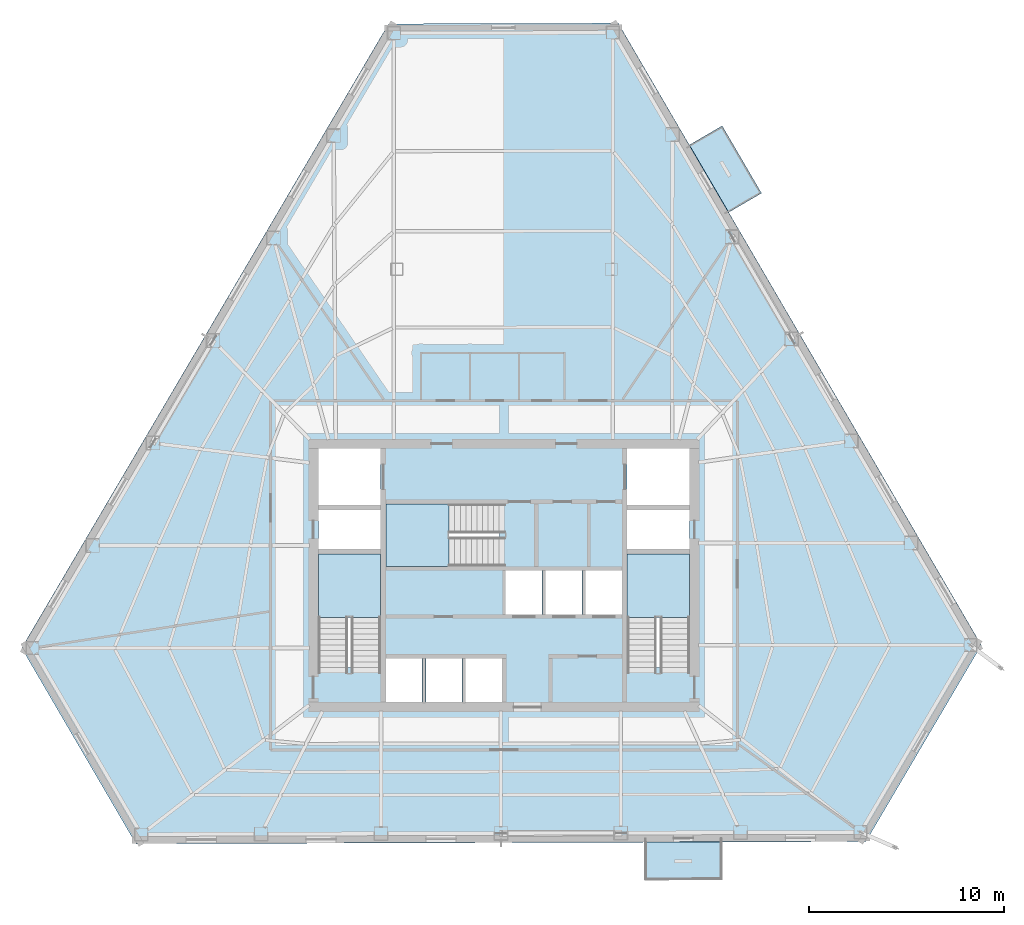
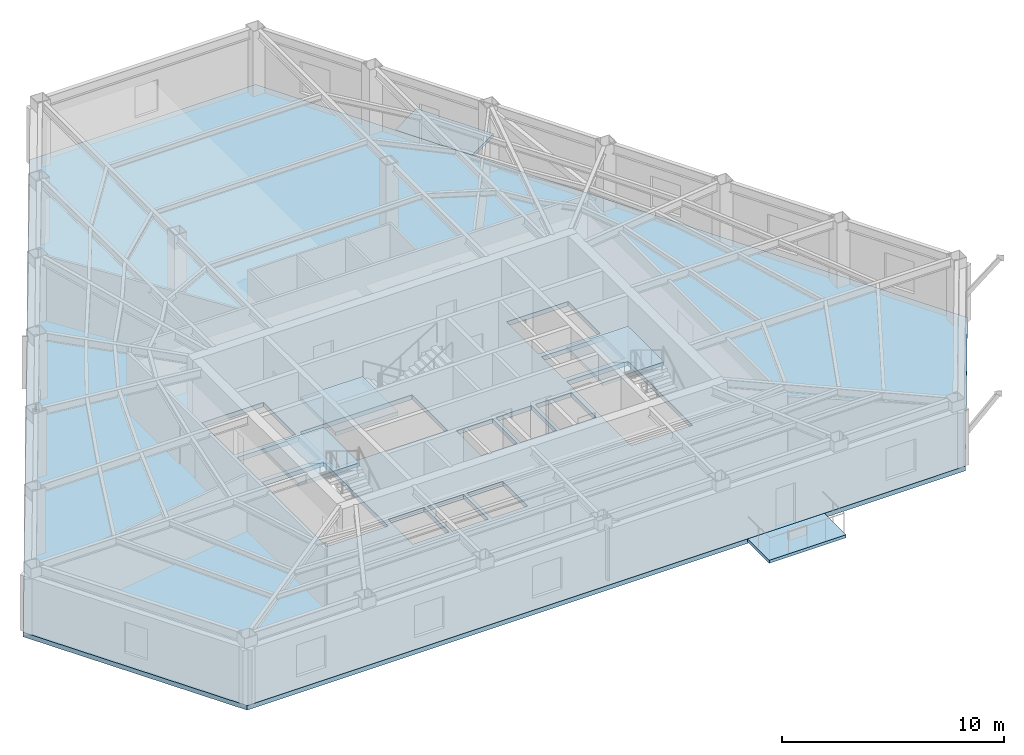
# One storey, part 3 of 10: 6 slabs, 3 elements without a shape of their own.
"""IFC4 building model written with IfcOpenShell, lengths in metres."""

from ifc_helpers import new_model, si_unit, direction, frame, origin, place, context, subcontext, project, spatial, polyline, outline, extrude, material, layer, layer_set, type_object, element, aggregate, save


model = new_model("IFC4")

# Units and contexts
model_context = context("Model", 3, precision=1e-05, world=origin(), true_north=direction((0.0, 1.0)))
body_context = subcontext(model_context, "Body", "Model", "MODEL_VIEW")
ifc_project = project(units=[si_unit("LENGTHUNIT", "METRE"), si_unit("AREAUNIT", "SQUARE_METRE"), si_unit("VOLUMEUNIT", "CUBIC_METRE"), si_unit("PLANEANGLEUNIT", "RADIAN"), si_unit("MASSUNIT", "GRAM", prefix="KILO")], contexts=[model_context])

# Site, building, storey
site_placement = place(None, origin())
site = spatial("IfcSite", under=ifc_project, at=site_placement, CompositionType="ELEMENT")
building_placement = place(site_placement, origin())
building = spatial("IfcBuilding", under=site, at=building_placement, Name="Kavelnor Concourse Tower", CompositionType="ELEMENT")
storey_placement = place(building_placement, frame((0.0, 0.0, 135.550048828125)))
storey = spatial("IfcBuildingStorey", under=building, at=storey_placement, Name="L34", CompositionType="ELEMENT", Elevation=135.550048828125)

# Slabs
ifc_material = material(Name="Concrete C40/50", Category="concrete")
ifc_layer_1 = layer(ifc_material, 0.169921875, Name="Concrete C40/50")
ifc_layer_set_1 = layer_set([ifc_layer_1], Name="Concrete C40/50")
slab_type_1 = type_object("IfcSlabType", Name="SLB-BALCONY-170", PredefinedType="FLOOR", material=ifc_layer_set_1)
slab_1_placement = place(storey_placement, frame((0.0, 0.0, -0.170166015625)))
element("IfcSlab", 1, at=slab_1_placement, inside=storey, type_object=slab_type_1, Name="L34 Cantilevered Tree Balcony Slab 1", PredefinedType="FLOOR", context=body_context, shape_type="SweptSolid", body=[
    extrude(outline(polyline([(49.205322265625, 0.477783203125), (45.205322265625, 0.466064453125), (45.19970703125, 2.416015625), (49.19970703125, 2.427978515625), (49.205322265625, 0.477783203125)])), origin(), (0.0, 0.0, 1.0), 0.170166015625),
])
slab_2_placement = place(storey_placement, frame((0.0, 0.0, -0.170166015625)))
element("IfcSlab", 2, at=slab_2_placement, inside=storey, type_object=slab_type_1, Name="L34 Cantilevered Tree Balcony Slab 2", PredefinedType="FLOOR", context=body_context, shape_type="SweptSolid", body=[
    extrude(outline(polyline([(49.18994140625, 39.15185546875), (51.206787109375, 35.697509765625), (49.522705078125, 34.71435546875), (47.506103515625, 38.168701171875), (49.18994140625, 39.15185546875)])), origin(), (0.0, 0.0, 1.0), 0.170166015625),
])

# Stair, slab
stair_type = type_object("IfcStairType", Name="STR-CORE-1500", PredefinedType="HALF_TURN_STAIR", material=ifc_material)
stair_1_placement = place(storey_placement, origin())
stair_1 = element("IfcStair", 3, at=stair_1_placement, inside=storey, type_object=stair_type, Name="L34 ST1", PredefinedType="HALF_TURN_STAIR")
ifc_layer_2 = layer(ifc_material, 0.199951171875, Name="Concrete C40/50")
ifc_layer_set_2 = layer_set([ifc_layer_2], Name="Concrete C40/50")
slab_type_2 = type_object("IfcSlabType", Name="SLB-LANDING-200", PredefinedType="LANDING", material=ifc_layer_set_2)
slab_3_placement = place(storey_placement, frame((0.0, 0.0, 1.724853515625)))
slab_3 = element("IfcSlab", 4, at=slab_3_placement, type_object=slab_type_2, Name="ST1 landing 1", PredefinedType="LANDING", context=body_context, shape_type="SweptSolid", body=[
    extrude(outline(polyline([(31.679931640625, 13.949951171875), (31.679931640625, 17.199951171875), (28.47998046875, 17.199951171875), (28.47998046875, 13.949951171875), (31.679931640625, 13.949951171875)])), origin(), (0.0, 0.0, 1.0), 0.2001953125),
])
aggregate(stair_1, [slab_3])

stair_2_placement = place(storey_placement, origin())
stair_2 = element("IfcStair", 5, at=stair_2_placement, inside=storey, type_object=stair_type, Name="L34 ST2", PredefinedType="HALF_TURN_STAIR")
slab_4_placement = place(storey_placement, frame((0.0, 0.0, 1.724853515625)))
slab_4 = element("IfcSlab", 6, at=slab_4_placement, type_object=slab_type_2, Name="ST2 landing 1", PredefinedType="LANDING", context=body_context, shape_type="SweptSolid", body=[
    extrude(outline(polyline([(47.52001953125, 13.949951171875), (47.52001953125, 17.199951171875), (44.320068359375, 17.199951171875), (44.320068359375, 13.949951171875), (47.52001953125, 13.949951171875)])), origin(), (0.0, 0.0, 1.0), 0.2001953125),
])
aggregate(stair_2, [slab_4])

stair_3_placement = place(storey_placement, origin())
stair_3 = element("IfcStair", 7, at=stair_3_placement, inside=storey, type_object=stair_type, Name="L34 ST3", PredefinedType="HALF_TURN_STAIR")
slab_5_placement = place(storey_placement, frame((0.0, 0.0, 1.724853515625)))
slab_5 = element("IfcSlab", 8, at=slab_5_placement, type_object=slab_type_2, Name="ST3 landing 1", PredefinedType="LANDING", context=body_context, shape_type="SweptSolid", body=[
    extrude(outline(polyline([(35.18994140625, 19.760009765625), (31.93994140625, 19.760009765625), (31.93994140625, 16.56005859375), (35.18994140625, 16.56005859375), (35.18994140625, 19.760009765625)])), origin(), (0.0, 0.0, 1.0), 0.2001953125),
])
aggregate(stair_3, [slab_5])

# Slab
ifc_layer_3 = layer(ifc_material, 0.25, Name="Concrete C40/50")
ifc_layer_set_3 = layer_set([ifc_layer_3], Name="Concrete C40/50")
slab_type_3 = type_object("IfcSlabType", Name="SLB-OFFICE-250", PredefinedType="FLOOR", material=ifc_layer_set_3)
slab_6_placement = place(storey_placement, frame((0.0, 0.0, -0.25)))
element("IfcSlab", 9, at=slab_6_placement, inside=storey, type_object=slab_type_3, Name="L34 Composite Structural Floor Slab", PredefinedType="FLOOR", context=body_context, shape_type="SweptSolid", body=[
    extrude(outline(polyline([(43.860107421875, 44.414306640625), (32.079345703125, 44.37939453125), (13.26904296875, 12.37646484375), (19.12890625, 2.33837890625), (56.556396484375, 2.44970703125), (62.477294921875, 12.52294921875), (43.860107421875, 44.414306640625)]), holes=[polyline([(28.47998046875, 11.3798828125), (31.679931640625, 11.3798828125), (31.679931640625, 17.199951171875), (28.47998046875, 17.199951171875), (28.47998046875, 11.3798828125)]), polyline([(44.320068359375, 11.3798828125), (47.52001953125, 11.3798828125), (47.52001953125, 17.199951171875), (44.320068359375, 17.199951171875), (44.320068359375, 11.3798828125)]), polyline([(31.93994140625, 16.56005859375), (37.760009765625, 16.56005859375), (37.760009765625, 19.760009765625), (31.93994140625, 19.760009765625), (31.93994140625, 16.56005859375)]), polyline([(28.47998046875, 19.699951171875), (31.679931640625, 19.699951171875), (31.679931640625, 22.60009765625), (28.47998046875, 22.60009765625), (28.47998046875, 19.699951171875)]), polyline([(44.320068359375, 19.699951171875), (47.52001953125, 19.699951171875), (47.52001953125, 22.60009765625), (44.320068359375, 22.60009765625), (44.320068359375, 19.699951171875)]), polyline([(38.090087890625, 14.10009765625), (39.9599609375, 14.10009765625), (39.9599609375, 16.340087890625), (38.090087890625, 16.340087890625), (38.090087890625, 14.10009765625)]), polyline([(40.139892578125, 14.10009765625), (42.010009765625, 14.10009765625), (42.010009765625, 16.340087890625), (40.139892578125, 16.340087890625), (40.139892578125, 14.10009765625)]), polyline([(42.18994140625, 14.10009765625), (44.06005859375, 14.10009765625), (44.06005859375, 16.340087890625), (42.18994140625, 16.340087890625), (42.18994140625, 14.10009765625)]), polyline([(31.93994140625, 9.60009765625), (33.81005859375, 9.60009765625), (33.81005859375, 11.840087890625), (31.93994140625, 11.840087890625), (31.93994140625, 9.60009765625)]), polyline([(33.989990234375, 9.60009765625), (35.860107421875, 9.60009765625), (35.860107421875, 11.840087890625), (33.989990234375, 11.840087890625), (33.989990234375, 9.60009765625)]), polyline([(36.0400390625, 9.60009765625), (37.909912109375, 9.60009765625), (37.909912109375, 11.840087890625), (36.0400390625, 11.840087890625), (36.0400390625, 9.60009765625)]), polyline([(28.47998046875, 17.4599609375), (31.679931640625, 17.4599609375), (31.679931640625, 19.43994140625), (28.47998046875, 19.43994140625), (28.47998046875, 17.4599609375)]), polyline([(44.320068359375, 17.4599609375), (47.52001953125, 17.4599609375), (47.52001953125, 19.43994140625), (44.320068359375, 19.43994140625), (44.320068359375, 17.4599609375)])]), origin(), (0.0, 0.0, 1.0), 0.25),
])

save(model, "model.ifc")
